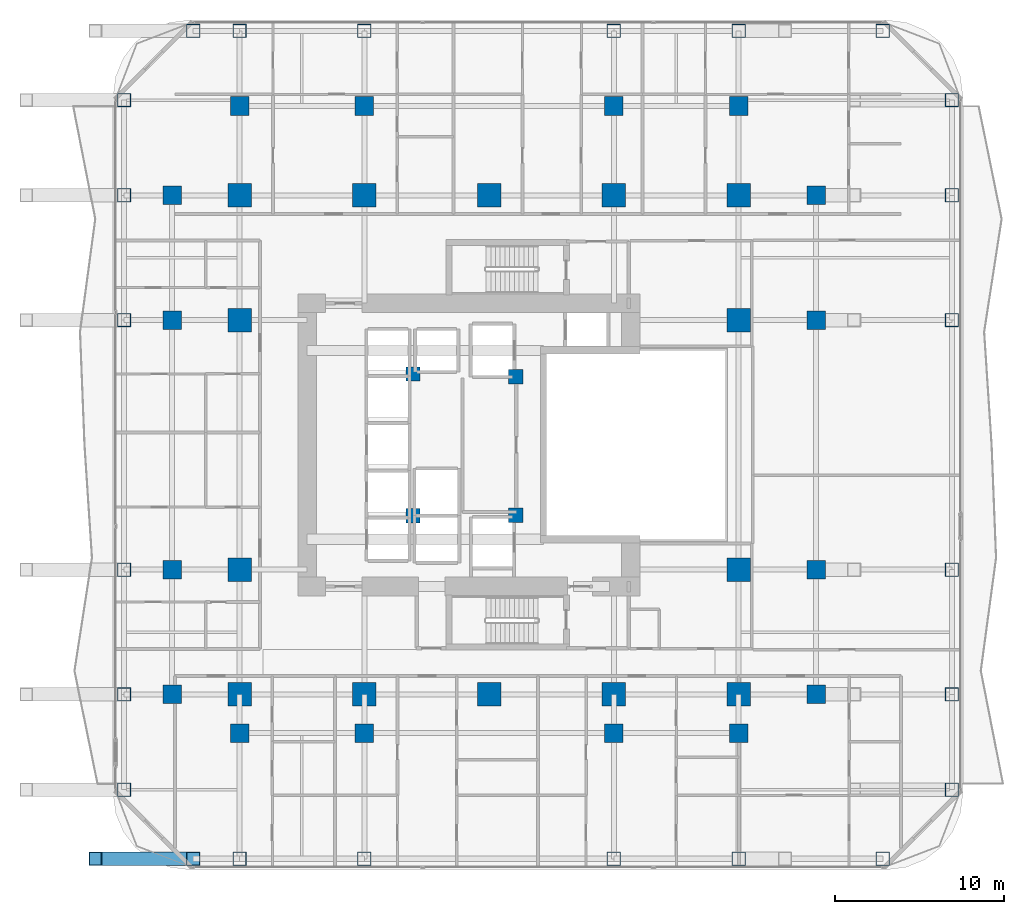
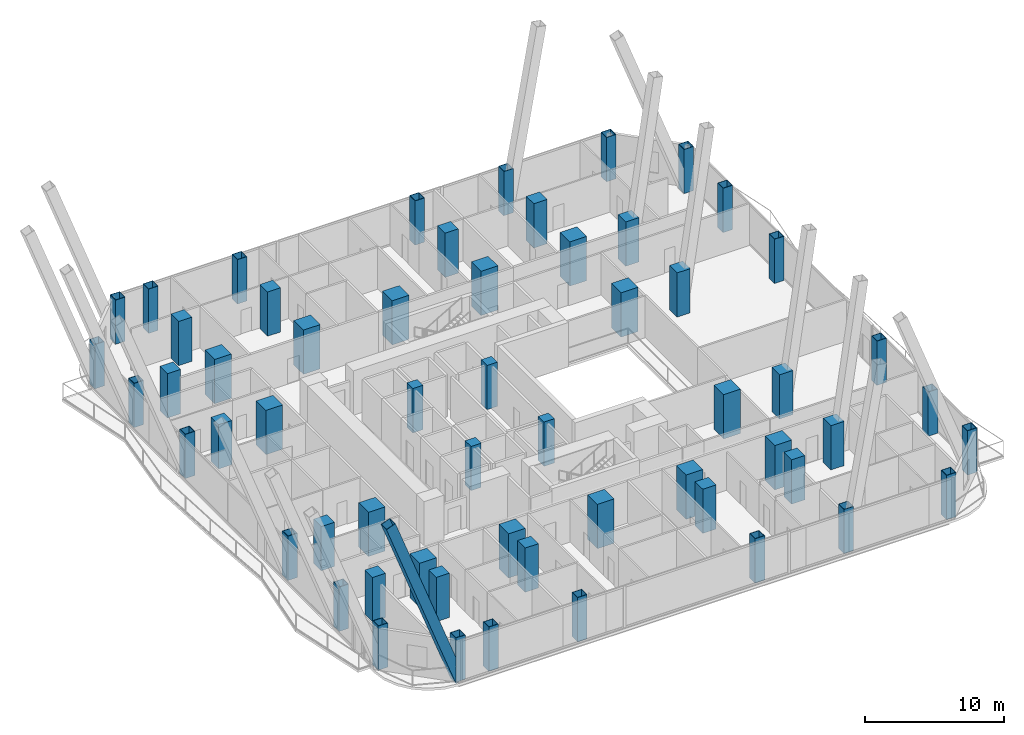
# One storey, part 1 of 33: 58 columns, 1 member.
"""IFC4 building model written with IfcOpenShell, lengths in metres."""

import ifcopenshell
import ifcopenshell.guid

model = None  # the IFC model being written
_history = None  # IfcOwnerHistory: only IFC2X3 demands one
_inside = {}  # id of a spatial element -> (the spatial element, [elements in it])
_under = {}  # id of a project, library or spatial element -> (it, [spatial elements below it])
_declared = {}  # id of a project -> (the project, [libraries it declares])
_typed = {}  # id of a type object -> (the type object, [elements of that type])
_made_of = {}  # id of a material, layer set ... -> (it, [elements and type objects made of it])


def new_model(schema):
    """Start an empty IFC model of exactly this schema.

    Asked for "IFC4X3", IfcOpenShell would pick the latest addendum, in which some entities
    have other attributes; the version numbers below select the first issue.
    IFC2X3 requires an IfcOwnerHistory on every rooted entity: one is made here for all.
    """
    global model, _history
    if schema == "IFC4X3":
        model = ifcopenshell.file(schema_version=(4, 3, 0, 0))
    else:
        model = ifcopenshell.file(schema=schema)
    _inside.clear()
    _under.clear()
    _declared.clear()
    _typed.clear()
    _made_of.clear()
    _history = None
    if model.schema == "IFC2X3":
        org = make("IfcOrganization", Name="unknown")
        user = make(
            "IfcPersonAndOrganization",
            ThePerson=make("IfcPerson", FamilyName="unknown"),
            TheOrganization=org,
        )
        app = make(
            "IfcApplication",
            ApplicationDeveloper=org,
            Version="unknown",
            ApplicationFullName="unknown",
            ApplicationIdentifier="unknown",
        )
        _history = make(
            "IfcOwnerHistory",
            OwningUser=user,
            OwningApplication=app,
            ChangeAction="ADDED",
            CreationDate=0,
        )
    return model


def make(cls, **values):
    """One entity of the class cls with the attributes given. An attribute that is None is left unset."""
    return model.create_entity(
        cls, **{name: value for name, value in values.items() if value is not None}
    )


def rooted(cls, **values):
    """An entity with a GlobalId (a new one), such as an element, a storey or a relation."""
    return make(cls, GlobalId=ifcopenshell.guid.new(), OwnerHistory=_history, **values)


def si_unit(unit_type, name, prefix=None):
    """IfcSIUnit, for example si_unit("LENGTHUNIT", "METRE", prefix="MILLI")."""
    return make("IfcSIUnit", UnitType=unit_type, Prefix=prefix, Name=name)


def assignment(units):
    """IfcUnitAssignment: the units of a project."""
    return None if units is None else make("IfcUnitAssignment", Units=units)


def point(xyz):
    """IfcCartesianPoint."""
    return None if xyz is None else make("IfcCartesianPoint", Coordinates=xyz)


def direction(xyz):
    """IfcDirection."""
    return None if xyz is None else make("IfcDirection", DirectionRatios=xyz)


def frame(location, z_axis=None, x_axis=None):
    """IfcAxis2Placement3D, a coordinate frame: its origin and axes. An axis left out is left unset."""
    return make(
        "IfcAxis2Placement3D",
        Location=point(location),
        Axis=direction(z_axis),
        RefDirection=direction(x_axis),
    )


def frame_2d(location, x_axis=None):
    """IfcAxis2Placement2D, a coordinate frame in the plane: its origin and x axis."""
    return make(
        "IfcAxis2Placement2D", Location=point(location), RefDirection=direction(x_axis)
    )


def origin():
    """The frame at (0, 0, 0) with its axes left unset."""
    return frame((0.0, 0.0, 0.0))


def origin_2d():
    """The frame at (0, 0) in the plane with its x axis left unset."""
    return frame_2d((0.0, 0.0))


def place(relative_to, where):
    """IfcLocalPlacement: puts the frame where relative to a parent placement (None: the world)."""
    return make(
        "IfcLocalPlacement", PlacementRelTo=relative_to, RelativePlacement=where
    )


def context(
    kind, dimensions, precision=None, world=None, true_north=None, identifier=None
):
    """IfcGeometricRepresentationContext, for example the 3D "Model" context."""
    return make(
        "IfcGeometricRepresentationContext",
        ContextIdentifier=identifier,
        ContextType=kind,
        CoordinateSpaceDimension=dimensions,
        Precision=precision,
        WorldCoordinateSystem=world,
        TrueNorth=true_north,
    )


def subcontext(parent, identifier, kind, view, scale=None):
    """IfcGeometricRepresentationSubContext, for example "Body" below "Model"."""
    return make(
        "IfcGeometricRepresentationSubContext",
        ContextIdentifier=identifier,
        ContextType=kind,
        ParentContext=parent,
        TargetScale=scale,
        TargetView=view,
    )


def project(units=None, contexts=None):
    """IfcProject with its units and contexts."""
    return rooted(
        "IfcProject",
        Name="project",
        RepresentationContexts=contexts,
        UnitsInContext=assignment(units),
    )


def spatial(cls, under=None, at=None, **own):
    """A site, building, storey or space (cls), placed at a placement, below another one or the project."""
    s = rooted(cls, ObjectPlacement=at, **own)
    if under is not None:
        _under.setdefault(under.id(), (under, []))[1].append(s)
    return s


def profile(cls, at=None, kind="AREA", **sizes):
    """A parametric profile (cls). Its sizes go by their IFC names, for example OverallWidth=200.0."""
    return make(cls, ProfileType=kind, Position=at, **sizes)


def rectangle(**sizes):
    """IfcRectangleProfileDef."""
    return profile("IfcRectangleProfileDef", **sizes)


def hollow_rectangle(**sizes):
    """IfcRectangleHollowProfileDef."""
    return profile("IfcRectangleHollowProfileDef", **sizes)


def extrude(swept, where, along, depth):
    """IfcExtrudedAreaSolid: the profile swept, set in the frame where, extruded along a direction by depth."""
    return make(
        "IfcExtrudedAreaSolid",
        SweptArea=swept,
        Position=where,
        ExtrudedDirection=direction(along),
        Depth=depth,
    )


def shape(context_of_items, identifier, shape_type, items):
    """IfcShapeRepresentation: the items that make up one representation, for example the "Body"."""
    return make(
        "IfcShapeRepresentation",
        ContextOfItems=context_of_items,
        RepresentationIdentifier=identifier,
        RepresentationType=shape_type,
        Items=items,
    )


def material(Name=None, Category=None):
    """IfcMaterial."""
    return make("IfcMaterial", Name=Name, Category=Category)


def material_profile(
    of_material, cross_section, Name=None, Category=None, Priority=None
):
    """IfcMaterialProfile: a cross section and its material."""
    return make(
        "IfcMaterialProfile",
        Name=Name,
        Material=of_material,
        Profile=cross_section,
        Priority=Priority,
        Category=Category,
    )


def profile_set(profiles, Name=None, composite=None):
    """IfcMaterialProfileSet."""
    return make(
        "IfcMaterialProfileSet",
        Name=Name,
        MaterialProfiles=profiles,
        CompositeProfile=composite,
    )


def made_of(thing, what):
    """Note that an element or type object is made of a material, layer set ...; save() writes the relation."""
    if what is not None:
        _made_of.setdefault(what.id(), (what, []))[1].append(thing)
    return thing


def type_object(cls, material=None, **own):
    """A type object (cls), such as IfcWallType, which elements share."""
    return made_of(rooted(cls, **own), material)


def element(
    cls,
    number,
    at=None,
    inside=None,
    cuts=None,
    type_object=None,
    material=None,
    context=None,
    identifier="Body",
    shape_type=None,
    held_by="IfcProductDefinitionShape",
    body=None,
    shapes=None,
    **own,
):
    """One element of the class cls, such as IfcWall. Its Tag is "e" and its number.

    at: its placement. inside: the storey or other place that contains it. cuts: it is an
    opening in that element (IfcRelVoidsElement). A single representation is given by context,
    identifier, shape_type and body (its items); several are given by shapes. held_by: the class
    of the entity that holds the representations. save() writes the other relations.
    """
    e = rooted(cls, Tag="e%d" % number, ObjectPlacement=at, **own)
    if body is not None:
        shapes = [shape(context, identifier, shape_type, body)]
    if shapes is not None:
        e.Representation = make(held_by, Representations=shapes)
    if inside is not None:
        _inside.setdefault(inside.id(), (inside, []))[1].append(e)
    if cuts is not None:
        rooted(
            "IfcRelVoidsElement", RelatingBuildingElement=cuts, RelatedOpeningElement=e
        )
    if type_object is not None:
        _typed.setdefault(type_object.id(), (type_object, []))[1].append(e)
    return made_of(e, material)


def aggregate(whole, parts):
    """IfcRelAggregates: a whole, such as a stair, and the parts it consists of."""
    return rooted("IfcRelAggregates", RelatingObject=whole, RelatedObjects=parts)


def save(model, path):
    """Write the relations noted so far, then the file.

    IfcRelAggregates (storeys below a building ...), IfcRelContainedInSpatialStructure (elements
    in a storey), IfcRelDefinesByType, IfcRelAssociatesMaterial and IfcRelDeclares: one each for
    every whole, place, type object, material and project.
    """
    for whole, parts in _under.values():
        aggregate(whole, parts)
    for where, things in _inside.values():
        rooted(
            "IfcRelContainedInSpatialStructure",
            RelatedElements=things,
            RelatingStructure=where,
        )
    for kind, things in _typed.values():
        rooted("IfcRelDefinesByType", RelatedObjects=things, RelatingType=kind)
    for what, things in _made_of.values():
        rooted("IfcRelAssociatesMaterial", RelatedObjects=things, RelatingMaterial=what)
    for by, libraries in _declared.values():
        rooted("IfcRelDeclares", RelatingContext=by, RelatedDefinitions=libraries)
    model.write(path)


model = new_model("IFC4")

# Units and contexts
model_context = context("Model", 3, precision=1e-05, world=origin(), true_north=direction((0.0, 1.0)))
body_context = subcontext(model_context, "Body", "Model", "MODEL_VIEW")
ifc_project = project(units=[si_unit("LENGTHUNIT", "METRE"), si_unit("AREAUNIT", "SQUARE_METRE"), si_unit("VOLUMEUNIT", "CUBIC_METRE"), si_unit("PLANEANGLEUNIT", "RADIAN"), si_unit("MASSUNIT", "GRAM", prefix="KILO")], contexts=[model_context])

# Site, building, storey
site_placement = place(None, origin())
site = spatial("IfcSite", under=ifc_project, at=site_placement, CompositionType="ELEMENT")
building_placement = place(site_placement, origin())
building = spatial("IfcBuilding", under=site, at=building_placement, Name="Khorvyn Point Tower", CompositionType="ELEMENT")
storey_placement = place(building_placement, frame((0.0, 0.0, 38.39990234375)))
storey = spatial("IfcBuildingStorey", under=building, at=storey_placement, Name="L10", CompositionType="ELEMENT", Elevation=38.39990234375)

# Columns
ifc_material_1 = material(Name="Concrete C40/50", Category="concrete")
ifc_material_profile_1 = material_profile(ifc_material_1, rectangle(XDim=0.85009765625, YDim=0.85009765625, at=origin_2d()))
ifc_profile_set_1 = profile_set([ifc_material_profile_1], Name="Concrete C40/50 RC850x850")
column_type_1 = type_object("IfcColumnType", Name="Concrete C40/50 Column RC850x850", PredefinedType="COLUMN", material=ifc_profile_set_1)
for number, where, z_axis, x_axis, name in (
    (1, (-4.52001953125, -4.199951171875, 0.0), (0.0, 0.0, 1.0), (1.0, 0.0, 0.0), "L10 Crown Core Spine Column 1"),
    (2, (1.580078125, -4.179931640625, 0.0), (0.0, 0.0, 1.0), (1.0, 0.0, 0.0), "L10 Crown Core Spine Column 2"),
    (3, (1.580078125, 4.050048828125, 0.0), (0.0, 0.0, 1.0), (1.0, 0.0, 0.0), "L10 Crown Core Spine Column 3"),
    (4, (-4.52001953125, 4.199951171875, 0.0), (0.0, 0.0, 1.0), (1.0, 0.0, 0.0), "L10 Crown Core Spine Column 4"),
):
    element("IfcColumn", number, at=place(storey_placement, frame(where, z_axis=z_axis, x_axis=x_axis)), inside=storey, type_object=column_type_1, Name=name, PredefinedType="COLUMN", context=body_context, shape_type="SweptSolid", body=[
        extrude(rectangle(XDim=0.85009765625, YDim=0.85009765625, at=origin_2d()), origin(), (0.0, 0.0, 1.0), 3.900146484375),
    ])
ifc_material_2 = material(Name="Concrete C45/55", Category="concrete")
ifc_material_profile_2 = material_profile(ifc_material_2, rectangle(XDim=1.10009765625, YDim=1.10009765625, at=origin_2d()))
ifc_profile_set_2 = profile_set([ifc_material_profile_2], Name="Concrete C45/55 RC1100x1100")
column_type_2 = type_object("IfcColumnType", Name="Concrete C45/55 Column RC1100x1100", PredefinedType="COLUMN", material=ifc_profile_set_2)
for number, where, z_axis, x_axis, name in (
    (5, (-18.800048828125, -14.800048828125, 0.0), (0.0, 0.0, 1.0), (1.0, 0.0, 0.0), "L10 Intermediate Column ICW--14"),
    (6, (-18.800048828125, -7.39990234375, 0.0), (0.0, 0.0, 1.0), (1.0, 0.0, 0.0), "L10 Intermediate Column ICW--7"),
    (7, (-18.800048828125, 7.39990234375, 0.0), (0.0, 0.0, 1.0), (1.0, 0.0, 0.0), "L10 Intermediate Column ICW-7"),
    (8, (-18.800048828125, 14.800048828125, 0.0), (0.0, 0.0, 1.0), (1.0, 0.0, 0.0), "L10 Intermediate Column ICW-14"),
    (9, (19.39990234375, -14.800048828125, 0.0), (0.0, 0.0, 1.0), (1.0, 0.0, 0.0), "L10 Intermediate Column ICE--14"),
    (10, (19.39990234375, -7.39990234375, 0.0), (0.0, 0.0, 1.0), (1.0, 0.0, 0.0), "L10 Intermediate Column ICE--7"),
    (11, (19.39990234375, 7.39990234375, 0.0), (0.0, 0.0, 1.0), (1.0, 0.0, 0.0), "L10 Intermediate Column ICE-7"),
    (12, (19.39990234375, 14.800048828125, 0.0), (0.0, 0.0, 1.0), (1.0, 0.0, 0.0), "L10 Intermediate Column ICE-14"),
    (13, (-14.800048828125, -17.10009765625, 0.0), (0.0, 0.0, 1.0), (1.0, 0.0, 0.0), "L10 Intermediate Column ICS--14"),
    (14, (-7.39990234375, -17.10009765625, 0.0), (0.0, 0.0, 1.0), (1.0, 0.0, 0.0), "L10 Intermediate Column ICS--7"),
    (15, (7.39990234375, -17.10009765625, 0.0), (0.0, 0.0, 1.0), (1.0, 0.0, 0.0), "L10 Intermediate Column ICS-7"),
    (16, (14.800048828125, -17.10009765625, 0.0), (0.0, 0.0, 1.0), (1.0, 0.0, 0.0), "L10 Intermediate Column ICS-14"),
    (17, (-14.800048828125, 20.10009765625, 0.0), (0.0, 0.0, 1.0), (1.0, 0.0, 0.0), "L10 Intermediate Column ICN--14"),
    (18, (-7.39990234375, 20.10009765625, 0.0), (0.0, 0.0, 1.0), (1.0, 0.0, 0.0), "L10 Intermediate Column ICN--7"),
    (19, (7.39990234375, 20.10009765625, 0.0), (0.0, 0.0, 1.0), (1.0, 0.0, 0.0), "L10 Intermediate Column ICN-7"),
    (20, (14.800048828125, 20.10009765625, 0.0), (0.0, 0.0, 1.0), (1.0, 0.0, 0.0), "L10 Intermediate Column ICN-14"),
):
    element("IfcColumn", number, at=place(storey_placement, frame(where, z_axis=z_axis, x_axis=x_axis)), inside=storey, type_object=column_type_2, Name=name, PredefinedType="COLUMN", context=body_context, shape_type="SweptSolid", body=[
        extrude(rectangle(XDim=1.10009765625, YDim=1.10009765625, at=origin_2d()), origin(), (0.0, 0.0, 1.0), 3.900146484375),
    ])
ifc_material_3 = material(Name="Concrete C50/60", Category="concrete")
ifc_material_profile_3 = material_profile(ifc_material_3, rectangle(XDim=1.39990234375, YDim=1.39990234375, at=origin_2d()))
ifc_profile_set_3 = profile_set([ifc_material_profile_3], Name="Concrete C50/60 RC1400x1400")
column_type_3 = type_object("IfcColumnType", Name="Concrete C50/60 Column RC1400x1400", PredefinedType="COLUMN", material=ifc_profile_set_3)
for number, where, z_axis, x_axis, name in (
    (21, (-14.800048828125, -14.800048828125, 0.0), (0.0, 0.0, 1.0), (1.0, 0.0, 0.0), "L10 Mega-Column MC-01"),
    (22, (-7.39990234375, -14.800048828125, 0.0), (0.0, 0.0, 1.0), (1.0, 0.0, 0.0), "L10 Mega-Column MC-02"),
    (23, (0.0, -14.800048828125, 0.0), (0.0, 0.0, 1.0), (1.0, 0.0, 0.0), "L10 Mega-Column MC-03"),
    (24, (7.39990234375, -14.800048828125, 0.0), (0.0, 0.0, 1.0), (1.0, 0.0, 0.0), "L10 Mega-Column MC-04"),
    (25, (14.800048828125, -14.800048828125, 0.0), (0.0, 0.0, 1.0), (1.0, 0.0, 0.0), "L10 Mega-Column MC-05"),
    (26, (-14.800048828125, 14.800048828125, 0.0), (0.0, 0.0, 1.0), (1.0, 0.0, 0.0), "L10 Mega-Column MC-06"),
    (27, (-7.39990234375, 14.800048828125, 0.0), (0.0, 0.0, 1.0), (1.0, 0.0, 0.0), "L10 Mega-Column MC-07"),
    (28, (0.0, 14.800048828125, 0.0), (0.0, 0.0, 1.0), (1.0, 0.0, 0.0), "L10 Mega-Column MC-08"),
    (29, (7.39990234375, 14.800048828125, 0.0), (0.0, 0.0, 1.0), (1.0, 0.0, 0.0), "L10 Mega-Column MC-09"),
    (30, (14.800048828125, 14.800048828125, 0.0), (0.0, 0.0, 1.0), (1.0, 0.0, 0.0), "L10 Mega-Column MC-10"),
    (31, (-14.800048828125, -7.39990234375, 0.0), (0.0, 0.0, 1.0), (1.0, 0.0, 0.0), "L10 Mega-Column MC-11"),
    (32, (-14.800048828125, 7.39990234375, 0.0), (0.0, 0.0, 1.0), (1.0, 0.0, 0.0), "L10 Mega-Column MC-12"),
    (33, (14.800048828125, -7.39990234375, 0.0), (0.0, 0.0, 1.0), (1.0, 0.0, 0.0), "L10 Mega-Column MC-13"),
    (34, (14.800048828125, 7.39990234375, 0.0), (0.0, 0.0, 1.0), (1.0, 0.0, 0.0), "L10 Mega-Column MC-14"),
):
    element("IfcColumn", number, at=place(storey_placement, frame(where, z_axis=z_axis, x_axis=x_axis)), inside=storey, type_object=column_type_3, Name=name, PredefinedType="COLUMN", context=body_context, shape_type="SweptSolid", body=[
        extrude(rectangle(XDim=1.39990234375, YDim=1.39990234375, at=origin_2d()), origin(), (0.0, 0.0, 1.0), 3.900146484375),
    ])
ifc_material_4 = material(Name="Steel S450", Category="steel")
ifc_material_profile_4 = material_profile(ifc_material_4, hollow_rectangle(XDim=0.800048828125, YDim=0.800048828125, WallThickness=0.035888671875, at=origin_2d()))
ifc_profile_set_4 = profile_set([ifc_material_profile_4], Name="Steel S450 BOX800x800x36")
column_type_4 = type_object("IfcColumnType", Name="Steel S450 Structural Column BOX800x800x36", PredefinedType="COLUMN", material=ifc_profile_set_4)
for number, where, z_axis, x_axis, name in (
    (35, (-17.550048828125, -24.550048828125, 0.0), (0.0, 0.0, 1.0), (1.0, 0.0, 0.0), "L10 Perimeter Tube Column TC-01"),
    (36, (23.35009765625, -24.550048828125, 0.0), (0.0, 0.0, 1.0), (1.0, 0.0, 0.0), "L10 Perimeter Tube Column TC-02"),
    (37, (-17.550048828125, 24.550048828125, 0.0), (0.0, 0.0, 1.0), (1.0, 0.0, 0.0), "L10 Perimeter Tube Column TC-03"),
    (38, (23.35009765625, 24.550048828125, 0.0), (0.0, 0.0, 1.0), (1.0, 0.0, 0.0), "L10 Perimeter Tube Column TC-04"),
    (39, (-21.64990234375, -20.449951171875, 0.0), (0.0, 0.0, 1.0), (1.0, 0.0, 0.0), "L10 Perimeter Tube Column TC-05"),
    (40, (-21.64990234375, 20.449951171875, 0.0), (0.0, 0.0, 1.0), (1.0, 0.0, 0.0), "L10 Perimeter Tube Column TC-06"),
    (41, (27.449951171875, -20.449951171875, 0.0), (0.0, 0.0, 1.0), (1.0, 0.0, 0.0), "L10 Perimeter Tube Column TC-07"),
    (42, (27.449951171875, 20.449951171875, 0.0), (0.0, 0.0, 1.0), (1.0, 0.0, 0.0), "L10 Perimeter Tube Column TC-08"),
    (43, (-14.800048828125, -24.550048828125, 0.0), (0.0, 0.0, 1.0), (1.0, 0.0, 0.0), "L10 Perimeter Tube Column TC-09"),
    (44, (-14.800048828125, 24.550048828125, 0.0), (0.0, 0.0, 1.0), (1.0, 0.0, 0.0), "L10 Perimeter Tube Column TC-10"),
    (45, (-7.39990234375, -24.550048828125, 0.0), (0.0, 0.0, 1.0), (1.0, 0.0, 0.0), "L10 Perimeter Tube Column TC-11"),
    (46, (-7.39990234375, 24.550048828125, 0.0), (0.0, 0.0, 1.0), (1.0, 0.0, 0.0), "L10 Perimeter Tube Column TC-12"),
    (47, (7.39990234375, -24.550048828125, 0.0), (0.0, 0.0, 1.0), (1.0, 0.0, 0.0), "L10 Perimeter Tube Column TC-13"),
    (48, (7.39990234375, 24.550048828125, 0.0), (0.0, 0.0, 1.0), (1.0, 0.0, 0.0), "L10 Perimeter Tube Column TC-14"),
    (49, (14.800048828125, -24.550048828125, 0.0), (0.0, 0.0, 1.0), (1.0, 0.0, 0.0), "L10 Perimeter Tube Column TC-15"),
    (50, (14.800048828125, 24.550048828125, 0.0), (0.0, 0.0, 1.0), (1.0, 0.0, 0.0), "L10 Perimeter Tube Column TC-16"),
    (51, (-21.64990234375, -14.800048828125, 0.0), (0.0, 0.0, 1.0), (1.0, 0.0, 0.0), "L10 Perimeter Tube Column TC-17"),
    (52, (27.449951171875, -14.800048828125, 0.0), (0.0, 0.0, 1.0), (1.0, 0.0, 0.0), "L10 Perimeter Tube Column TC-18"),
    (53, (-21.64990234375, -7.39990234375, 0.0), (0.0, 0.0, 1.0), (1.0, 0.0, 0.0), "L10 Perimeter Tube Column TC-19"),
    (54, (27.449951171875, -7.39990234375, 0.0), (0.0, 0.0, 1.0), (1.0, 0.0, 0.0), "L10 Perimeter Tube Column TC-20"),
    (55, (-21.64990234375, 7.39990234375, 0.0), (0.0, 0.0, 1.0), (1.0, 0.0, 0.0), "L10 Perimeter Tube Column TC-21"),
    (56, (27.449951171875, 7.39990234375, 0.0), (0.0, 0.0, 1.0), (1.0, 0.0, 0.0), "L10 Perimeter Tube Column TC-22"),
    (57, (-21.64990234375, 14.800048828125, 0.0), (0.0, 0.0, 1.0), (1.0, 0.0, 0.0), "L10 Perimeter Tube Column TC-23"),
    (58, (27.449951171875, 14.800048828125, 0.0), (0.0, 0.0, 1.0), (1.0, 0.0, 0.0), "L10 Perimeter Tube Column TC-24"),
):
    element("IfcColumn", number, at=place(storey_placement, frame(where, z_axis=z_axis, x_axis=x_axis)), inside=storey, type_object=column_type_4, Name=name, PredefinedType="COLUMN", context=body_context, shape_type="SweptSolid", body=[
        extrude(hollow_rectangle(XDim=0.800048828125, YDim=0.800048828125, WallThickness=0.035888671875, at=origin_2d()), origin(), (0.0, 0.0, 1.0), 3.900146484375),
    ])

# Member
ifc_material_profile_5 = material_profile(ifc_material_4, hollow_rectangle(XDim=0.800048828125, YDim=0.800048828125, WallThickness=0.035888671875, at=origin_2d()))
ifc_profile_set_5 = profile_set([ifc_material_profile_5], Name="Steel S450 BOX800x800x36")
member_type = type_object("IfcMemberType", Name="Steel S450 Exoskeleton Structural Post BOX800x800x36", PredefinedType="POST", material=ifc_profile_set_5)
member_placement = place(storey_placement, frame((-17.550048828125, -24.550048828125, 0.0), z_axis=(-0.348488886408, 0.0, 0.937312912559), x_axis=(0.0, -1.0, 0.0)))
element("IfcMember", 59, at=member_placement, inside=storey, type_object=member_type, Name="L10 to L14 Exoskeleton Transfer Post 01", PredefinedType="POST", context=body_context, shape_type="SweptSolid", body=[
    extrude(hollow_rectangle(XDim=0.800048828125, YDim=0.800048828125, WallThickness=0.035888671875, at=origin_2d()), origin(), (0.0, 0.0, 1.0), 16.643310546875),
])

save(model, "model.ifc")
